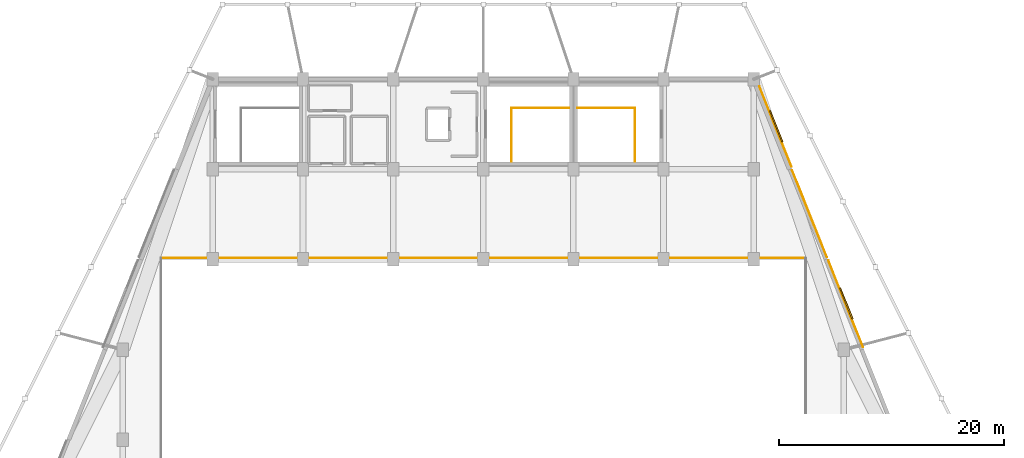
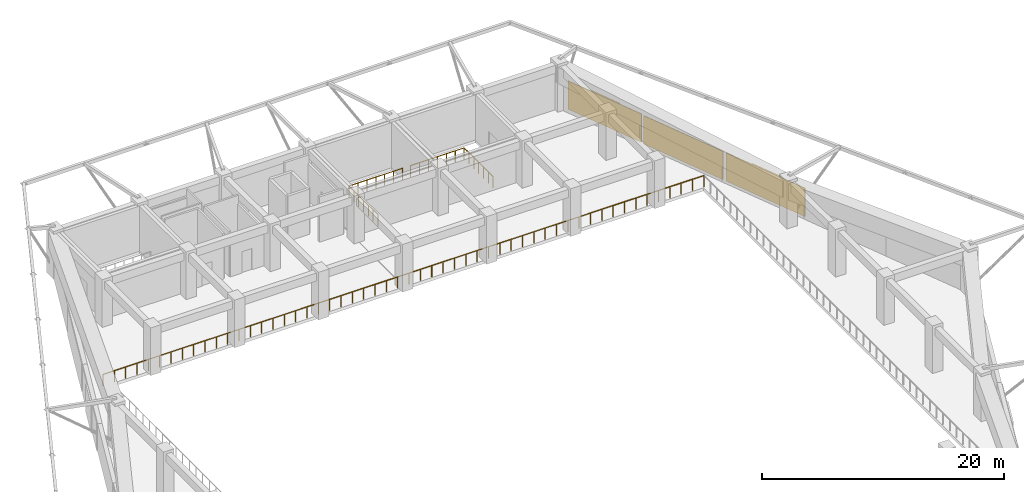
# One storey, part 9 of 9: 5 railings, 3 coverings, 2 shading devices.
"""IFC4 building model written with IfcOpenShell, lengths in metres."""

from ifc_helpers import new_model, si_unit, direction, frame, origin, origin_2d, place, context, subcontext, project, spatial, rectangle, circle, extrude, material, layer, layer_set, type_object, element, save


model = new_model("IFC4")

# Units and contexts
model_context = context("Model", 3, precision=1e-05, world=origin(), true_north=direction((0.0, 1.0)))
body_context = subcontext(model_context, "Body", "Model", "MODEL_VIEW")
ifc_project = project(units=[si_unit("LENGTHUNIT", "METRE"), si_unit("AREAUNIT", "SQUARE_METRE"), si_unit("VOLUMEUNIT", "CUBIC_METRE"), si_unit("PLANEANGLEUNIT", "RADIAN"), si_unit("MASSUNIT", "GRAM", prefix="KILO")], contexts=[model_context])

# Site, building, storey
site_placement = place(None, origin())
site = spatial("IfcSite", under=ifc_project, at=site_placement, CompositionType="ELEMENT")
building_placement = place(site_placement, origin())
building = spatial("IfcBuilding", under=site, at=building_placement, Name="Tazarka Park Arena", CompositionType="ELEMENT")
storey_placement = place(building_placement, frame((0.0, 0.0, 24.60009765625)))
storey = spatial("IfcBuildingStorey", under=building, at=storey_placement, Name="L05", CompositionType="ELEMENT", Elevation=24.60009765625)

# Coverings
ifc_material_1 = material(Name="Dark ribbed perforated bronze-charcoal aluminium mesh", Category="aluminium")
ifc_layer = layer(ifc_material_1, 0.06005859375, Name="Dark ribbed perforated bronze-charcoal aluminium mesh")
ifc_layer_set = layer_set([ifc_layer], Name="Dark ribbed perforated bronze-charcoal aluminium mesh")
covering_type = type_object("IfcCoveringType", Name="CLD-01", PredefinedType="CLADDING", material=ifc_layer_set)
covering_placement = place(storey_placement, frame((113.93408203125, 99.79736328125, 0.0), z_axis=(0.0, 0.0, 1.0), x_axis=(0.37136783555, -0.928485826881, 0.0)))
element("IfcCovering", 1, at=covering_placement, inside=storey, type_object=covering_type, Name="Ribbed Metal Mesh Cladding EW-L05-0367", PredefinedType="CLADDING", context=body_context, shape_type="SweptSolid", body=[
    extrude(rectangle(XDim=7.691650390625, YDim=0.06005859375, at=origin_2d()), origin(), (0.0, 0.0, 1.0), 2.860107421875),
])
for number, where, z_axis, x_axis, name in (
    (2, (116.957763671875, 92.06298828125, 0.0), (0.0, 0.0, 1.0), (0.37136783555, -0.928485826881, 0.0), "Ribbed Metal Mesh Cladding EW-L05-0368"),
    (3, (120.1669921875, 84.06689453125, 0.0), (0.0, 0.0, 1.0), (0.37136783555, -0.928485826881, 0.0), "Ribbed Metal Mesh Cladding EW-L05-0369"),
):
    element("IfcCovering", number, at=place(storey_placement, frame(where, z_axis=z_axis, x_axis=x_axis)), inside=storey, type_object=covering_type, Name=name, PredefinedType="CLADDING", context=body_context, shape_type="SweptSolid", body=[
        extrude(rectangle(XDim=8.31640625, YDim=0.06005859375, at=origin_2d()), origin(), (0.0, 0.0, 1.0), 2.860107421875),
    ])

# Railings
ifc_material_2 = material(Name="Galvanised powder-coated architectural steel", Category="steel")
railing_type = type_object("IfcRailingType", Name="IGR-01", PredefinedType="GUARDRAIL", material=ifc_material_2)
railing_1_placement = place(storey_placement, frame((101.485107421875, 96.679931640625, 0.0)))
element("IfcRailing", 4, at=railing_1_placement, inside=storey, type_object=railing_type, Name="Stair Well Guardrail ST10-L05", PredefinedType="GUARDRAIL", context=body_context, shape_type="SweptSolid", body=[
    extrude(circle(Radius=0.02392578125, at=origin_2d()), frame((0.0, 0.0, 1.1259765625), z_axis=(0.0, 1.0, 0.0), x_axis=(-1.0, 0.0, 0.0)), (0.0, 0.0, 1.0), 4.77001953125),
    extrude(circle(Radius=0.02099609375, at=origin_2d()), origin(), (0.0, 0.0, 1.0), 1.101806640625),
    extrude(circle(Radius=0.02099609375, at=origin_2d()), frame((0.0, 0.794921875, 0.0)), (0.0, 0.0, 1.0), 1.101806640625),
    extrude(circle(Radius=0.02099609375, at=origin_2d()), frame((0.0, 1.590087890625, 0.0)), (0.0, 0.0, 1.0), 1.101806640625),
    extrude(circle(Radius=0.02099609375, at=origin_2d()), frame((0.0, 2.385009765625, 0.0)), (0.0, 0.0, 1.0), 1.101806640625),
    extrude(circle(Radius=0.02099609375, at=origin_2d()), frame((0.0, 3.179931640625, 0.0)), (0.0, 0.0, 1.0), 1.101806640625),
    extrude(circle(Radius=0.02099609375, at=origin_2d()), frame((0.0, 3.97509765625, 0.0)), (0.0, 0.0, 1.0), 1.101806640625),
    extrude(circle(Radius=0.02099609375, at=origin_2d()), frame((0.0, 4.77001953125, 0.0)), (0.0, 0.0, 1.0), 1.101806640625),
])
railing_2_placement = place(storey_placement, frame((101.485107421875, 101.449951171875, 0.0)))
element("IfcRailing", 5, at=railing_2_placement, inside=storey, type_object=railing_type, Name="Top Well Guardrail ST10-L05", PredefinedType="GUARDRAIL", context=body_context, shape_type="SweptSolid", body=[
    extrude(circle(Radius=0.02392578125, at=origin_2d()), frame((0.0, 0.0, 1.1259765625), z_axis=(-1.0, 0.0, 0.0), x_axis=(0.0, -1.0, 0.0)), (0.0, 0.0, 1.0), 5.105224609375),
    extrude(circle(Radius=0.02099609375, at=origin_2d()), origin(), (0.0, 0.0, 1.0), 1.101806640625),
    extrude(circle(Radius=0.02099609375, at=origin_2d()), frame((-0.850830078125, 0.0, 0.0)), (0.0, 0.0, 1.0), 1.101806640625),
    extrude(circle(Radius=0.02099609375, at=origin_2d()), frame((-1.70166015625, 0.0, 0.0)), (0.0, 0.0, 1.0), 1.101806640625),
    extrude(circle(Radius=0.02099609375, at=origin_2d()), frame((-2.552734375, 0.0, 0.0)), (0.0, 0.0, 1.0), 1.101806640625),
    extrude(circle(Radius=0.02099609375, at=origin_2d()), frame((-3.403564453125, 0.0, 0.0)), (0.0, 0.0, 1.0), 1.101806640625),
    extrude(circle(Radius=0.02099609375, at=origin_2d()), frame((-4.25439453125, 0.0, 0.0)), (0.0, 0.0, 1.0), 1.101806640625),
    extrude(circle(Radius=0.02099609375, at=origin_2d()), frame((-5.105224609375, 0.0, 0.0)), (0.0, 0.0, 1.0), 1.101806640625),
])
railing_3_placement = place(storey_placement, frame((90.514892578125, 96.679931640625, 0.0)))
element("IfcRailing", 6, at=railing_3_placement, inside=storey, type_object=railing_type, Name="Stair Well Guardrail ST15-L05", PredefinedType="GUARDRAIL", context=body_context, shape_type="SweptSolid", body=[
    extrude(circle(Radius=0.02392578125, at=origin_2d()), frame((0.0, 0.0, 1.1259765625), z_axis=(0.0, 1.0, 0.0), x_axis=(-1.0, 0.0, 0.0)), (0.0, 0.0, 1.0), 4.77001953125),
    extrude(circle(Radius=0.02099609375, at=origin_2d()), origin(), (0.0, 0.0, 1.0), 1.101806640625),
    extrude(circle(Radius=0.02099609375, at=origin_2d()), frame((0.0, 0.794921875, 0.0)), (0.0, 0.0, 1.0), 1.101806640625),
    extrude(circle(Radius=0.02099609375, at=origin_2d()), frame((0.0, 1.590087890625, 0.0)), (0.0, 0.0, 1.0), 1.101806640625),
    extrude(circle(Radius=0.02099609375, at=origin_2d()), frame((0.0, 2.385009765625, 0.0)), (0.0, 0.0, 1.0), 1.101806640625),
    extrude(circle(Radius=0.02099609375, at=origin_2d()), frame((0.0, 3.179931640625, 0.0)), (0.0, 0.0, 1.0), 1.101806640625),
    extrude(circle(Radius=0.02099609375, at=origin_2d()), frame((0.0, 3.97509765625, 0.0)), (0.0, 0.0, 1.0), 1.101806640625),
    extrude(circle(Radius=0.02099609375, at=origin_2d()), frame((0.0, 4.77001953125, 0.0)), (0.0, 0.0, 1.0), 1.101806640625),
])
railing_4_placement = place(storey_placement, frame((90.514892578125, 101.449951171875, 0.0)))
element("IfcRailing", 7, at=railing_4_placement, inside=storey, type_object=railing_type, Name="Top Well Guardrail ST15-L05", PredefinedType="GUARDRAIL", context=body_context, shape_type="SweptSolid", body=[
    extrude(circle(Radius=0.02392578125, at=origin_2d()), frame((0.0, 0.0, 1.1259765625), z_axis=(1.0, 0.0, 0.0), x_axis=(0.0, 1.0, 0.0)), (0.0, 0.0, 1.0), 5.105224609375),
    extrude(circle(Radius=0.02099609375, at=origin_2d()), origin(), (0.0, 0.0, 1.0), 1.101806640625),
    extrude(circle(Radius=0.02099609375, at=origin_2d()), frame((0.850830078125, 0.0, 0.0)), (0.0, 0.0, 1.0), 1.101806640625),
    extrude(circle(Radius=0.02099609375, at=origin_2d()), frame((1.70166015625, 0.0, 0.0)), (0.0, 0.0, 1.0), 1.101806640625),
    extrude(circle(Radius=0.02099609375, at=origin_2d()), frame((2.552734375, 0.0, 0.0)), (0.0, 0.0, 1.0), 1.101806640625),
    extrude(circle(Radius=0.02099609375, at=origin_2d()), frame((3.403564453125, 0.0, 0.0)), (0.0, 0.0, 1.0), 1.101806640625),
    extrude(circle(Radius=0.02099609375, at=origin_2d()), frame((4.25439453125, 0.0, 0.0)), (0.0, 0.0, 1.0), 1.101806640625),
    extrude(circle(Radius=0.02099609375, at=origin_2d()), frame((5.105224609375, 0.0, 0.0)), (0.0, 0.0, 1.0), 1.101806640625),
])
railing_5_placement = place(storey_placement, frame((59.3798828125, 88.1201171875, 0.0)))
element("IfcRailing", 8, at=railing_5_placement, inside=storey, type_object=railing_type, Name="Interior Barrier Guardrail IGR-01-022", PredefinedType="GUARDRAIL", context=body_context, shape_type="SweptSolid", body=[
    extrude(circle(Radius=0.02392578125, at=origin_2d()), frame((0.0, 0.0, 1.1259765625), z_axis=(1.0, 0.0, 0.0), x_axis=(0.0, 1.0, 0.0)), (0.0, 0.0, 1.0), 57.240234375),
    extrude(circle(Radius=0.02099609375, at=origin_2d()), origin(), (0.0, 0.0, 1.0), 1.101806640625),
    extrude(circle(Radius=0.02099609375, at=origin_2d()), frame((1.080078125, 0.0, 0.0)), (0.0, 0.0, 1.0), 1.101806640625),
    extrude(circle(Radius=0.02099609375, at=origin_2d()), frame((2.159912109375, 0.0, 0.0)), (0.0, 0.0, 1.0), 1.101806640625),
    extrude(circle(Radius=0.02099609375, at=origin_2d()), frame((3.239990234375, 0.0, 0.0)), (0.0, 0.0, 1.0), 1.101806640625),
    extrude(circle(Radius=0.02099609375, at=origin_2d()), frame((4.320068359375, 0.0, 0.0)), (0.0, 0.0, 1.0), 1.101806640625),
    extrude(circle(Radius=0.02099609375, at=origin_2d()), frame((5.39990234375, 0.0, 0.0)), (0.0, 0.0, 1.0), 1.101806640625),
    extrude(circle(Radius=0.02099609375, at=origin_2d()), frame((6.47998046875, 0.0, 0.0)), (0.0, 0.0, 1.0), 1.101806640625),
    extrude(circle(Radius=0.02099609375, at=origin_2d()), frame((7.56005859375, 0.0, 0.0)), (0.0, 0.0, 1.0), 1.101806640625),
    extrude(circle(Radius=0.02099609375, at=origin_2d()), frame((8.64013671875, 0.0, 0.0)), (0.0, 0.0, 1.0), 1.101806640625),
    extrude(circle(Radius=0.02099609375, at=origin_2d()), frame((9.719970703125, 0.0, 0.0)), (0.0, 0.0, 1.0), 1.101806640625),
    extrude(circle(Radius=0.02099609375, at=origin_2d()), frame((10.800048828125, 0.0, 0.0)), (0.0, 0.0, 1.0), 1.101806640625),
    extrude(circle(Radius=0.02099609375, at=origin_2d()), frame((11.880126953125, 0.0, 0.0)), (0.0, 0.0, 1.0), 1.101806640625),
    extrude(circle(Radius=0.02099609375, at=origin_2d()), frame((12.9599609375, 0.0, 0.0)), (0.0, 0.0, 1.0), 1.101806640625),
    extrude(circle(Radius=0.02099609375, at=origin_2d()), frame((14.0400390625, 0.0, 0.0)), (0.0, 0.0, 1.0), 1.101806640625),
    extrude(circle(Radius=0.02099609375, at=origin_2d()), frame((15.1201171875, 0.0, 0.0)), (0.0, 0.0, 1.0), 1.101806640625),
    extrude(circle(Radius=0.02099609375, at=origin_2d()), frame((16.199951171875, 0.0, 0.0)), (0.0, 0.0, 1.0), 1.101806640625),
    extrude(circle(Radius=0.02099609375, at=origin_2d()), frame((17.280029296875, 0.0, 0.0)), (0.0, 0.0, 1.0), 1.101806640625),
    extrude(circle(Radius=0.02099609375, at=origin_2d()), frame((18.360107421875, 0.0, 0.0)), (0.0, 0.0, 1.0), 1.101806640625),
    extrude(circle(Radius=0.02099609375, at=origin_2d()), frame((19.440185546875, 0.0, 0.0)), (0.0, 0.0, 1.0), 1.101806640625),
    extrude(circle(Radius=0.02099609375, at=origin_2d()), frame((20.52001953125, 0.0, 0.0)), (0.0, 0.0, 1.0), 1.101806640625),
    extrude(circle(Radius=0.02099609375, at=origin_2d()), frame((21.60009765625, 0.0, 0.0)), (0.0, 0.0, 1.0), 1.101806640625),
    extrude(circle(Radius=0.02099609375, at=origin_2d()), frame((22.68017578125, 0.0, 0.0)), (0.0, 0.0, 1.0), 1.101806640625),
    extrude(circle(Radius=0.02099609375, at=origin_2d()), frame((23.760009765625, 0.0, 0.0)), (0.0, 0.0, 1.0), 1.101806640625),
    extrude(circle(Radius=0.02099609375, at=origin_2d()), frame((24.840087890625, 0.0, 0.0)), (0.0, 0.0, 1.0), 1.101806640625),
    extrude(circle(Radius=0.02099609375, at=origin_2d()), frame((25.920166015625, 0.0, 0.0)), (0.0, 0.0, 1.0), 1.101806640625),
    extrude(circle(Radius=0.02099609375, at=origin_2d()), frame((27.0, 0.0, 0.0)), (0.0, 0.0, 1.0), 1.101806640625),
    extrude(circle(Radius=0.02099609375, at=origin_2d()), frame((28.080078125, 0.0, 0.0)), (0.0, 0.0, 1.0), 1.101806640625),
    extrude(circle(Radius=0.02099609375, at=origin_2d()), frame((29.16015625, 0.0, 0.0)), (0.0, 0.0, 1.0), 1.101806640625),
    extrude(circle(Radius=0.02099609375, at=origin_2d()), frame((30.240234375, 0.0, 0.0)), (0.0, 0.0, 1.0), 1.101806640625),
    extrude(circle(Radius=0.02099609375, at=origin_2d()), frame((31.320068359375, 0.0, 0.0)), (0.0, 0.0, 1.0), 1.101806640625),
    extrude(circle(Radius=0.02099609375, at=origin_2d()), frame((32.400146484375, 0.0, 0.0)), (0.0, 0.0, 1.0), 1.101806640625),
    extrude(circle(Radius=0.02099609375, at=origin_2d()), frame((33.480224609375, 0.0, 0.0)), (0.0, 0.0, 1.0), 1.101806640625),
    extrude(circle(Radius=0.02099609375, at=origin_2d()), frame((34.56005859375, 0.0, 0.0)), (0.0, 0.0, 1.0), 1.101806640625),
    extrude(circle(Radius=0.02099609375, at=origin_2d()), frame((35.64013671875, 0.0, 0.0)), (0.0, 0.0, 1.0), 1.101806640625),
    extrude(circle(Radius=0.02099609375, at=origin_2d()), frame((36.72021484375, 0.0, 0.0)), (0.0, 0.0, 1.0), 1.101806640625),
    extrude(circle(Radius=0.02099609375, at=origin_2d()), frame((37.800048828125, 0.0, 0.0)), (0.0, 0.0, 1.0), 1.101806640625),
    extrude(circle(Radius=0.02099609375, at=origin_2d()), frame((38.880126953125, 0.0, 0.0)), (0.0, 0.0, 1.0), 1.101806640625),
    extrude(circle(Radius=0.02099609375, at=origin_2d()), frame((39.960205078125, 0.0, 0.0)), (0.0, 0.0, 1.0), 1.101806640625),
    extrude(circle(Radius=0.02099609375, at=origin_2d()), frame((41.040283203125, 0.0, 0.0)), (0.0, 0.0, 1.0), 1.101806640625),
    extrude(circle(Radius=0.02099609375, at=origin_2d()), frame((42.1201171875, 0.0, 0.0)), (0.0, 0.0, 1.0), 1.101806640625),
    extrude(circle(Radius=0.02099609375, at=origin_2d()), frame((43.2001953125, 0.0, 0.0)), (0.0, 0.0, 1.0), 1.101806640625),
    extrude(circle(Radius=0.02099609375, at=origin_2d()), frame((44.2802734375, 0.0, 0.0)), (0.0, 0.0, 1.0), 1.101806640625),
    extrude(circle(Radius=0.02099609375, at=origin_2d()), frame((45.360107421875, 0.0, 0.0)), (0.0, 0.0, 1.0), 1.101806640625),
    extrude(circle(Radius=0.02099609375, at=origin_2d()), frame((46.440185546875, 0.0, 0.0)), (0.0, 0.0, 1.0), 1.101806640625),
    extrude(circle(Radius=0.02099609375, at=origin_2d()), frame((47.520263671875, 0.0, 0.0)), (0.0, 0.0, 1.0), 1.101806640625),
    extrude(circle(Radius=0.02099609375, at=origin_2d()), frame((48.60009765625, 0.0, 0.0)), (0.0, 0.0, 1.0), 1.101806640625),
    extrude(circle(Radius=0.02099609375, at=origin_2d()), frame((49.68017578125, 0.0, 0.0)), (0.0, 0.0, 1.0), 1.101806640625),
    extrude(circle(Radius=0.02099609375, at=origin_2d()), frame((50.76025390625, 0.0, 0.0)), (0.0, 0.0, 1.0), 1.101806640625),
    extrude(circle(Radius=0.02099609375, at=origin_2d()), frame((51.84033203125, 0.0, 0.0)), (0.0, 0.0, 1.0), 1.101806640625),
    extrude(circle(Radius=0.02099609375, at=origin_2d()), frame((52.920166015625, 0.0, 0.0)), (0.0, 0.0, 1.0), 1.101806640625),
    extrude(circle(Radius=0.02099609375, at=origin_2d()), frame((54.000244140625, 0.0, 0.0)), (0.0, 0.0, 1.0), 1.101806640625),
    extrude(circle(Radius=0.02099609375, at=origin_2d()), frame((55.080322265625, 0.0, 0.0)), (0.0, 0.0, 1.0), 1.101806640625),
    extrude(circle(Radius=0.02099609375, at=origin_2d()), frame((56.16015625, 0.0, 0.0)), (0.0, 0.0, 1.0), 1.101806640625),
    extrude(circle(Radius=0.02099609375, at=origin_2d()), frame((57.240234375, 0.0, 0.0)), (0.0, 0.0, 1.0), 1.101806640625),
])

# Shading devices
ifc_material_3 = material(Name="Dark ribbed perforated bronze-charcoal aluminium mesh", Category="aluminium")
shading_device_type = type_object("IfcShadingDeviceType", Name="SHD-02", PredefinedType="JALOUSIE", material=ifc_material_3)
for number, where, z_axis, x_axis, name in (
    (9, (113.989990234375, 99.819580078125, 0.0), (0.0, 0.0, 1.0), (0.37136783555, -0.928485826881, 0.0), "Perforated Mesh Screen EW-L05-0367"),
    (10, (120.222900390625, 84.089111328125, 0.0), (0.0, 0.0, 1.0), (0.37136783555, -0.928485826881, 0.0), "Perforated Mesh Screen EW-L05-0369"),
):
    element("IfcShadingDevice", number, at=place(storey_placement, frame(where, z_axis=z_axis, x_axis=x_axis)), inside=storey, type_object=shading_device_type, Name=name, PredefinedType="JALOUSIE", context=body_context, shape_type="SweptSolid", body=[
        extrude(rectangle(XDim=3.0, YDim=0.139892578125, at=origin_2d()), origin(), (0.0, 0.0, 1.0), 2.860107421875),
    ])

save(model, "model.ifc")
